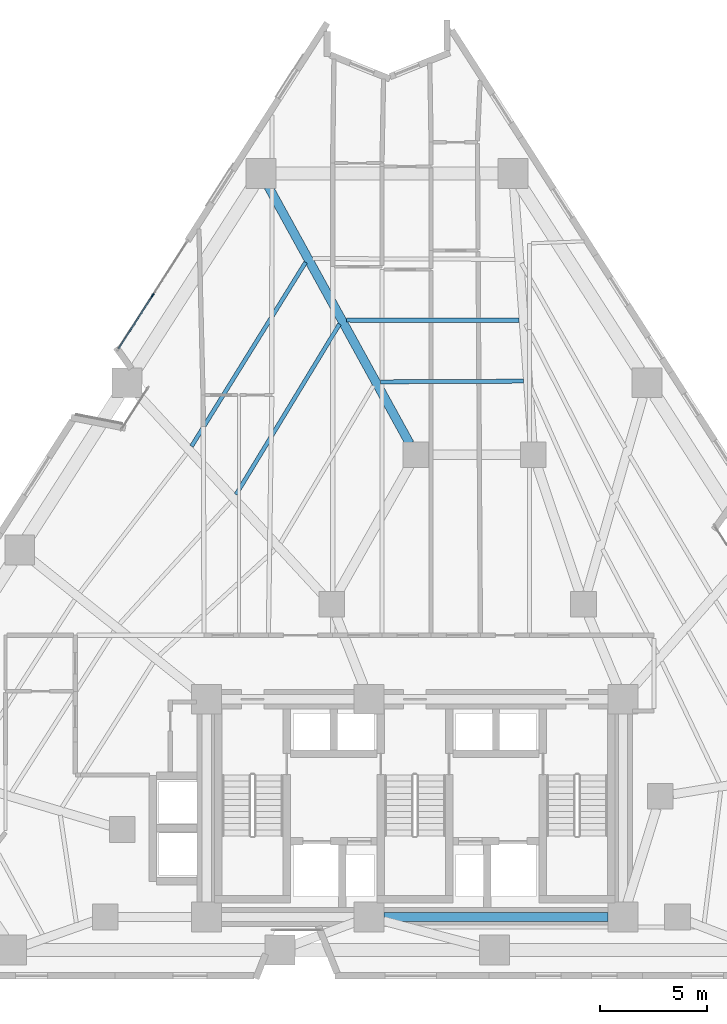
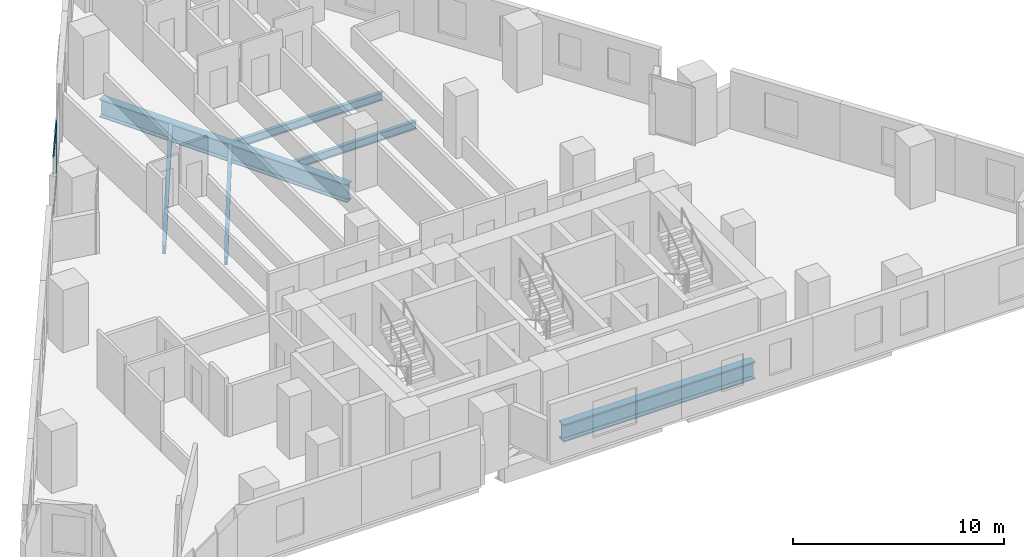
# One storey, part 3 of 13: 6 beams, 3 members, 1 element without a shape of its own.
"""IFC4 building model written with IfcOpenShell, lengths in metres."""

import ifcopenshell
import ifcopenshell.guid

model = None  # the IFC model being written
_history = None  # IfcOwnerHistory: only IFC2X3 demands one
_inside = {}  # id of a spatial element -> (the spatial element, [elements in it])
_under = {}  # id of a project, library or spatial element -> (it, [spatial elements below it])
_declared = {}  # id of a project -> (the project, [libraries it declares])
_typed = {}  # id of a type object -> (the type object, [elements of that type])
_made_of = {}  # id of a material, layer set ... -> (it, [elements and type objects made of it])


def new_model(schema):
    """Start an empty IFC model of exactly this schema.

    Asked for "IFC4X3", IfcOpenShell would pick the latest addendum, in which some entities
    have other attributes; the version numbers below select the first issue.
    IFC2X3 requires an IfcOwnerHistory on every rooted entity: one is made here for all.
    """
    global model, _history
    if schema == "IFC4X3":
        model = ifcopenshell.file(schema_version=(4, 3, 0, 0))
    else:
        model = ifcopenshell.file(schema=schema)
    _inside.clear()
    _under.clear()
    _declared.clear()
    _typed.clear()
    _made_of.clear()
    _history = None
    if model.schema == "IFC2X3":
        org = make("IfcOrganization", Name="unknown")
        user = make(
            "IfcPersonAndOrganization",
            ThePerson=make("IfcPerson", FamilyName="unknown"),
            TheOrganization=org,
        )
        app = make(
            "IfcApplication",
            ApplicationDeveloper=org,
            Version="unknown",
            ApplicationFullName="unknown",
            ApplicationIdentifier="unknown",
        )
        _history = make(
            "IfcOwnerHistory",
            OwningUser=user,
            OwningApplication=app,
            ChangeAction="ADDED",
            CreationDate=0,
        )
    return model


def make(cls, **values):
    """One entity of the class cls with the attributes given. An attribute that is None is left unset."""
    return model.create_entity(
        cls, **{name: value for name, value in values.items() if value is not None}
    )


def rooted(cls, **values):
    """An entity with a GlobalId (a new one), such as an element, a storey or a relation."""
    return make(cls, GlobalId=ifcopenshell.guid.new(), OwnerHistory=_history, **values)


def si_unit(unit_type, name, prefix=None):
    """IfcSIUnit, for example si_unit("LENGTHUNIT", "METRE", prefix="MILLI")."""
    return make("IfcSIUnit", UnitType=unit_type, Prefix=prefix, Name=name)


def assignment(units):
    """IfcUnitAssignment: the units of a project."""
    return None if units is None else make("IfcUnitAssignment", Units=units)


def point(xyz):
    """IfcCartesianPoint."""
    return None if xyz is None else make("IfcCartesianPoint", Coordinates=xyz)


def direction(xyz):
    """IfcDirection."""
    return None if xyz is None else make("IfcDirection", DirectionRatios=xyz)


def frame(location, z_axis=None, x_axis=None):
    """IfcAxis2Placement3D, a coordinate frame: its origin and axes. An axis left out is left unset."""
    return make(
        "IfcAxis2Placement3D",
        Location=point(location),
        Axis=direction(z_axis),
        RefDirection=direction(x_axis),
    )


def frame_2d(location, x_axis=None):
    """IfcAxis2Placement2D, a coordinate frame in the plane: its origin and x axis."""
    return make(
        "IfcAxis2Placement2D", Location=point(location), RefDirection=direction(x_axis)
    )


def origin():
    """The frame at (0, 0, 0) with its axes left unset."""
    return frame((0.0, 0.0, 0.0))


def origin_2d():
    """The frame at (0, 0) in the plane with its x axis left unset."""
    return frame_2d((0.0, 0.0))


def place(relative_to, where):
    """IfcLocalPlacement: puts the frame where relative to a parent placement (None: the world)."""
    return make(
        "IfcLocalPlacement", PlacementRelTo=relative_to, RelativePlacement=where
    )


def context(
    kind, dimensions, precision=None, world=None, true_north=None, identifier=None
):
    """IfcGeometricRepresentationContext, for example the 3D "Model" context."""
    return make(
        "IfcGeometricRepresentationContext",
        ContextIdentifier=identifier,
        ContextType=kind,
        CoordinateSpaceDimension=dimensions,
        Precision=precision,
        WorldCoordinateSystem=world,
        TrueNorth=true_north,
    )


def subcontext(parent, identifier, kind, view, scale=None):
    """IfcGeometricRepresentationSubContext, for example "Body" below "Model"."""
    return make(
        "IfcGeometricRepresentationSubContext",
        ContextIdentifier=identifier,
        ContextType=kind,
        ParentContext=parent,
        TargetScale=scale,
        TargetView=view,
    )


def project(units=None, contexts=None):
    """IfcProject with its units and contexts."""
    return rooted(
        "IfcProject",
        Name="project",
        RepresentationContexts=contexts,
        UnitsInContext=assignment(units),
    )


def spatial(cls, under=None, at=None, **own):
    """A site, building, storey or space (cls), placed at a placement, below another one or the project."""
    s = rooted(cls, ObjectPlacement=at, **own)
    if under is not None:
        _under.setdefault(under.id(), (under, []))[1].append(s)
    return s


def profile(cls, at=None, kind="AREA", **sizes):
    """A parametric profile (cls). Its sizes go by their IFC names, for example OverallWidth=200.0."""
    return make(cls, ProfileType=kind, Position=at, **sizes)


def rectangle(**sizes):
    """IfcRectangleProfileDef."""
    return profile("IfcRectangleProfileDef", **sizes)


def i_section(**sizes):
    """IfcIShapeProfileDef."""
    return profile("IfcIShapeProfileDef", **sizes)


def extrude(swept, where, along, depth):
    """IfcExtrudedAreaSolid: the profile swept, set in the frame where, extruded along a direction by depth."""
    return make(
        "IfcExtrudedAreaSolid",
        SweptArea=swept,
        Position=where,
        ExtrudedDirection=direction(along),
        Depth=depth,
    )


def shape(context_of_items, identifier, shape_type, items):
    """IfcShapeRepresentation: the items that make up one representation, for example the "Body"."""
    return make(
        "IfcShapeRepresentation",
        ContextOfItems=context_of_items,
        RepresentationIdentifier=identifier,
        RepresentationType=shape_type,
        Items=items,
    )


def material(Name=None, Category=None):
    """IfcMaterial."""
    return make("IfcMaterial", Name=Name, Category=Category)


def layer(
    of_material, thickness, ventilated=None, Name=None, Category=None, Priority=None
):
    """IfcMaterialLayer: one layer of a wall or slab, of a material (None: an air gap)."""
    return make(
        "IfcMaterialLayer",
        Material=of_material,
        LayerThickness=thickness,
        IsVentilated=ventilated,
        Name=Name,
        Category=Category,
        Priority=Priority,
    )


def layer_set(layers, Name=None):
    """IfcMaterialLayerSet."""
    return make("IfcMaterialLayerSet", MaterialLayers=layers, LayerSetName=Name)


def material_profile(
    of_material, cross_section, Name=None, Category=None, Priority=None
):
    """IfcMaterialProfile: a cross section and its material."""
    return make(
        "IfcMaterialProfile",
        Name=Name,
        Material=of_material,
        Profile=cross_section,
        Priority=Priority,
        Category=Category,
    )


def profile_set(profiles, Name=None, composite=None):
    """IfcMaterialProfileSet."""
    return make(
        "IfcMaterialProfileSet",
        Name=Name,
        MaterialProfiles=profiles,
        CompositeProfile=composite,
    )


def made_of(thing, what):
    """Note that an element or type object is made of a material, layer set ...; save() writes the relation."""
    if what is not None:
        _made_of.setdefault(what.id(), (what, []))[1].append(thing)
    return thing


def type_object(cls, material=None, **own):
    """A type object (cls), such as IfcWallType, which elements share."""
    return made_of(rooted(cls, **own), material)


def element(
    cls,
    number,
    at=None,
    inside=None,
    cuts=None,
    type_object=None,
    material=None,
    context=None,
    identifier="Body",
    shape_type=None,
    held_by="IfcProductDefinitionShape",
    body=None,
    shapes=None,
    **own,
):
    """One element of the class cls, such as IfcWall. Its Tag is "e" and its number.

    at: its placement. inside: the storey or other place that contains it. cuts: it is an
    opening in that element (IfcRelVoidsElement). A single representation is given by context,
    identifier, shape_type and body (its items); several are given by shapes. held_by: the class
    of the entity that holds the representations. save() writes the other relations.
    """
    e = rooted(cls, Tag="e%d" % number, ObjectPlacement=at, **own)
    if body is not None:
        shapes = [shape(context, identifier, shape_type, body)]
    if shapes is not None:
        e.Representation = make(held_by, Representations=shapes)
    if inside is not None:
        _inside.setdefault(inside.id(), (inside, []))[1].append(e)
    if cuts is not None:
        rooted(
            "IfcRelVoidsElement", RelatingBuildingElement=cuts, RelatedOpeningElement=e
        )
    if type_object is not None:
        _typed.setdefault(type_object.id(), (type_object, []))[1].append(e)
    return made_of(e, material)


def aggregate(whole, parts):
    """IfcRelAggregates: a whole, such as a stair, and the parts it consists of."""
    return rooted("IfcRelAggregates", RelatingObject=whole, RelatedObjects=parts)


def save(model, path):
    """Write the relations noted so far, then the file.

    IfcRelAggregates (storeys below a building ...), IfcRelContainedInSpatialStructure (elements
    in a storey), IfcRelDefinesByType, IfcRelAssociatesMaterial and IfcRelDeclares: one each for
    every whole, place, type object, material and project.
    """
    for whole, parts in _under.values():
        aggregate(whole, parts)
    for where, things in _inside.values():
        rooted(
            "IfcRelContainedInSpatialStructure",
            RelatedElements=things,
            RelatingStructure=where,
        )
    for kind, things in _typed.values():
        rooted("IfcRelDefinesByType", RelatedObjects=things, RelatingType=kind)
    for what, things in _made_of.values():
        rooted("IfcRelAssociatesMaterial", RelatedObjects=things, RelatingMaterial=what)
    for by, libraries in _declared.values():
        rooted("IfcRelDeclares", RelatingContext=by, RelatedDefinitions=libraries)
    model.write(path)


model = new_model("IFC4")

# Units and contexts
model_context = context("Model", 3, precision=1e-05, world=origin(), true_north=direction((0.0, 1.0)))
body_context = subcontext(model_context, "Body", "Model", "MODEL_VIEW")
ifc_project = project(units=[si_unit("LENGTHUNIT", "METRE"), si_unit("AREAUNIT", "SQUARE_METRE"), si_unit("VOLUMEUNIT", "CUBIC_METRE"), si_unit("PLANEANGLEUNIT", "RADIAN"), si_unit("MASSUNIT", "GRAM", prefix="KILO")], contexts=[model_context])

# Site, building, storey
site_placement = place(None, origin())
site = spatial("IfcSite", under=ifc_project, at=site_placement, CompositionType="ELEMENT")
building_placement = place(site_placement, origin())
building = spatial("IfcBuilding", under=site, at=building_placement, Name="Almagre Mirador Tower", CompositionType="ELEMENT")
storey_placement = place(building_placement, frame((0.0, 0.0, 49.800048828125)))
storey = spatial("IfcBuildingStorey", under=building, at=storey_placement, Name="L11", CompositionType="ELEMENT", Elevation=49.800048828125)

# Beams
ifc_material_1 = material(Name="Steel ASTM A992 Grade 50", Category="steel")
ifc_material_profile_1 = material_profile(ifc_material_1, i_section(OverallWidth=0.19091796875, OverallDepth=0.4599609375, WebThickness=0.010009765625, FlangeThickness=0.01611328125, FilletRadius=0.01611328125, at=origin_2d()), Name="W18X55")
ifc_profile_set_1 = profile_set([ifc_material_profile_1], Name="Steel ASTM A992 Grade 50")
beam_type_1 = type_object("IfcBeamType", Name="BM-JST-W18X55", PredefinedType="JOIST", material=ifc_profile_set_1)
beam_1_placement = place(storey_placement, frame((42.185302734375, 32.4990234375, -0.47998046875), z_axis=(-0.999999934481, 0.000361990927, 0.0), x_axis=(-0.000361990927, -0.999999934481, 0.0)))
element("IfcBeam", 1, at=beam_1_placement, inside=storey, type_object=beam_type_1, Name="L11 secondary floor joist PC08-PC09.2", PredefinedType="JOIST", context=body_context, shape_type="SweptSolid", body=[
    extrude(i_section(OverallWidth=0.19091796875, OverallDepth=0.4599609375, WebThickness=0.010009765625, FlangeThickness=0.01611328125, FilletRadius=0.01611328125, at=origin_2d()), origin(), (0.0, 0.0, 1.0), 8.09326171875),
])
beam_2_placement = place(storey_placement, frame((42.391357421875, 29.647705078125, -0.47998046875), z_axis=(-0.999988115515, -0.004875328633, 0.0), x_axis=(0.004875328633, -0.999988115515, 0.0)))
element("IfcBeam", 2, at=beam_2_placement, inside=storey, type_object=beam_type_1, Name="L11 secondary floor joist PC08-PC09.3", PredefinedType="JOIST", context=body_context, shape_type="SweptSolid", body=[
    extrude(i_section(OverallWidth=0.19091796875, OverallDepth=0.4599609375, WebThickness=0.010009765625, FlangeThickness=0.01611328125, FilletRadius=0.01611328125, at=origin_2d()), origin(), (0.0, 0.0, 1.0), 6.710205078125),
])
beam_3_placement = place(storey_placement, frame((32.18310546875, 35.212158203125, -0.47998046875), z_axis=(-0.527013798236, -0.849856727024, 0.0), x_axis=(0.849856727024, -0.527013798236, 0.0)))
element("IfcBeam", 3, at=beam_3_placement, inside=storey, type_object=beam_type_1, Name="L11 secondary floor joist PC09-PC10.1", PredefinedType="JOIST", context=body_context, shape_type="SweptSolid", body=[
    extrude(i_section(OverallWidth=0.19091796875, OverallDepth=0.4599609375, WebThickness=0.010009765625, FlangeThickness=0.01611328125, FilletRadius=0.01611328125, at=origin_2d()), origin(), (0.0, 0.0, 1.0), 10.134033203125),
])
beam_4_placement = place(storey_placement, frame((33.773681640625, 32.322998046875, -0.47998046875), z_axis=(-0.518956302824, -0.854800769629, 0.0), x_axis=(0.854800769629, -0.518956302824, 0.0)))
element("IfcBeam", 4, at=beam_4_placement, inside=storey, type_object=beam_type_1, Name="L11 secondary floor joist PC09-PC10.2", PredefinedType="JOIST", context=body_context, shape_type="SweptSolid", body=[
    extrude(i_section(OverallWidth=0.19091796875, OverallDepth=0.4599609375, WebThickness=0.010009765625, FlangeThickness=0.01611328125, FilletRadius=0.01611328125, at=origin_2d()), origin(), (0.0, 0.0, 1.0), 9.33837890625),
])
ifc_material_2 = material(Name="Steel ASTM A992 Grade 50", Category="steel")
ifc_material_profile_2 = material_profile(ifc_material_2, i_section(OverallWidth=0.43701171875, OverallDepth=1.010986328125, WebThickness=0.041015625, FlangeThickness=0.073974609375, FilletRadius=0.028076171875, at=origin_2d()), Name="W36X529")
ifc_profile_set_2 = profile_set([ifc_material_profile_2], Name="Steel ASTM A992 Grade 50")
beam_type_2 = type_object("IfcBeamType", Name="BM-STL-W36X529", PredefinedType="BEAM", material=ifc_profile_set_2)
beam_5_placement = place(storey_placement, frame((35.85009765625, 4.550048828125, -0.755615234375), z_axis=(1.0, 0.0, 0.0), x_axis=(0.0, 1.0, 0.0)))
element("IfcBeam", 5, at=beam_5_placement, inside=storey, type_object=beam_type_2, Name="L11 core tie girder CC2-CC3", PredefinedType="BEAM", context=body_context, shape_type="SweptSolid", body=[
    extrude(i_section(OverallWidth=0.43701171875, OverallDepth=1.010986328125, WebThickness=0.041015625, FlangeThickness=0.073974609375, FilletRadius=0.028076171875, at=origin_2d()), origin(), (0.0, 0.0, 1.0), 10.5),
])
ifc_material_3 = material(Name="Steel ASTM A913 Grade 65", Category="steel")
ifc_material_profile_3 = material_profile(ifc_material_3, i_section(OverallWidth=0.4189453125, OverallDepth=1.041015625, WebThickness=0.031005859375, FlangeThickness=0.055908203125, FilletRadius=0.030029296875, at=origin_2d()), Name="W40X397")
ifc_profile_set_3 = profile_set([ifc_material_profile_3], Name="Steel ASTM A913 Grade 65")
beam_type_3 = type_object("IfcBeamType", Name="BM-STL-W40X397", PredefinedType="BEAM", material=ifc_profile_set_3)
beam_6_placement = place(storey_placement, frame((30.439453125, 38.759765625, -0.7705078125), z_axis=(0.482060666066, -0.876137839745, 0.0), x_axis=(0.876137839745, 0.482060666066, 0.0)))
element("IfcBeam", 6, at=beam_6_placement, inside=storey, type_object=beam_type_3, Name="L11 radial floor girder PC09-MC7", PredefinedType="BEAM", context=body_context, shape_type="SweptSolid", body=[
    extrude(i_section(OverallWidth=0.4189453125, OverallDepth=1.041015625, WebThickness=0.031005859375, FlangeThickness=0.055908203125, FilletRadius=0.030029296875, at=origin_2d()), origin(), (0.0, 0.0, 1.0), 13.735595703125),
])

# Curtain wall, members
ifc_material_4 = material(Name="Black anodized aluminium", Category="aluminium")
ifc_layer = layer(ifc_material_4, 0.18994140625)
ifc_layer_set = layer_set([ifc_layer], Name="Black anodized aluminium")
curtain_wall_type = type_object("IfcCurtainWallType", Name="CW-RES-L-SYS", PredefinedType="NOTDEFINED", material=ifc_layer_set)
curtain_wall_placement = place(storey_placement, origin())
curtain_wall = element("IfcCurtainWall", 7, at=curtain_wall_placement, inside=storey, type_object=curtain_wall_type, Name="L11 curtain wall run 02", PredefinedType="NOTDEFINED")
ifc_material_5 = material(Name="Black anodized aluminium", Category="aluminium")
ifc_material_profile_4 = material_profile(ifc_material_5, rectangle(XDim=0.06494140625, YDim=0.179931640625, at=origin_2d()), Name="CWM65X180")
ifc_profile_set_4 = profile_set([ifc_material_profile_4], Name="Black anodized aluminium")
member_type_1 = type_object("IfcMemberType", Name="MBR-CWM65X180", PredefinedType="MULLION", material=ifc_profile_set_4)
member_1_placement = place(storey_placement, frame((25.0224609375, 33.66943359375, 0.0), z_axis=(0.0, 0.0, 1.0), x_axis=(-0.841967002982, 0.539529022287, 0.0)))
member_1 = element("IfcMember", 8, at=member_1_placement, type_object=member_type_1, Name="CW-2 mullion 2", PredefinedType="MULLION", context=body_context, shape_type="SweptSolid", body=[
    extrude(rectangle(XDim=0.06494140625, YDim=0.179931640625, at=origin_2d()), origin(), (0.0, 0.0, 1.0), 3.349853515625),
])
ifc_material_6 = material(Name="Black anodized aluminium", Category="aluminium")
ifc_material_profile_5 = material_profile(ifc_material_6, rectangle(XDim=0.06005859375, YDim=0.1298828125, at=origin_2d()), Name="CWT60X130")
ifc_profile_set_5 = profile_set([ifc_material_profile_5], Name="Black anodized aluminium")
member_type_2 = type_object("IfcMemberType", Name="MBR-CWT60X130", PredefinedType="USERDEFINED", material=ifc_profile_set_5)
member_2_placement = place(storey_placement, frame((23.423095703125, 31.173828125, 0.030029296875), z_axis=(0.539561682535, 0.841946073534, 0.0), x_axis=(-0.841946073534, 0.539561682535, 0.0)))
member_2 = element("IfcMember", 9, at=member_2_placement, type_object=member_type_2, Name="CW-2 transom 1.1", ObjectType="TRANSOM", PredefinedType="USERDEFINED", context=body_context, shape_type="SweptSolid", body=[
    extrude(rectangle(XDim=0.06005859375, YDim=0.1298828125, at=origin_2d()), origin(), (0.0, 0.0, 1.0), 2.931640625),
])
member_3_placement = place(storey_placement, frame((23.423095703125, 31.173828125, 3.320068359375), z_axis=(0.539561682535, 0.841946073534, 0.0), x_axis=(-0.841946073534, 0.539561682535, 0.0)))
member_3 = element("IfcMember", 10, at=member_3_placement, type_object=member_type_2, Name="CW-2 transom 1.2", ObjectType="TRANSOM", PredefinedType="USERDEFINED", context=body_context, shape_type="SweptSolid", body=[
    extrude(rectangle(XDim=0.06005859375, YDim=0.1298828125, at=origin_2d()), origin(), (0.0, 0.0, 1.0), 2.931640625),
])
aggregate(curtain_wall, [member_1, member_2, member_3])

save(model, "model.ifc")
